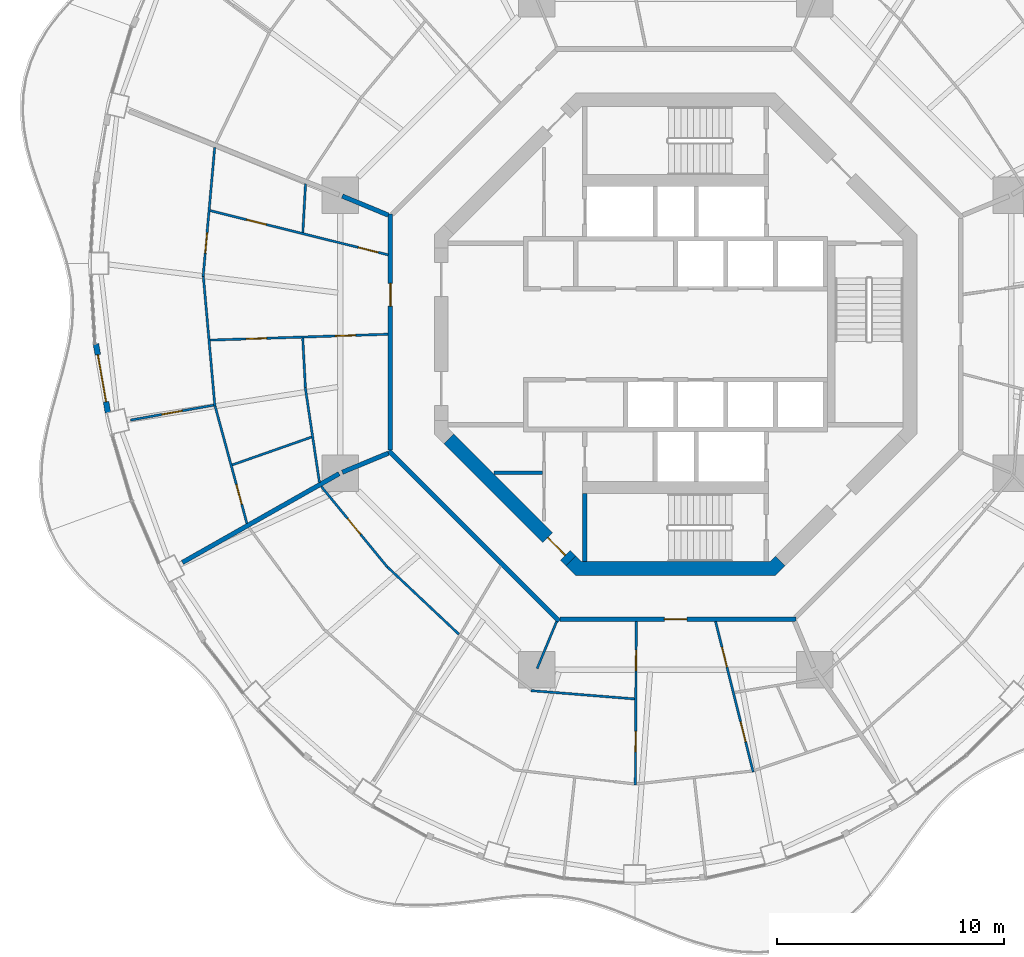
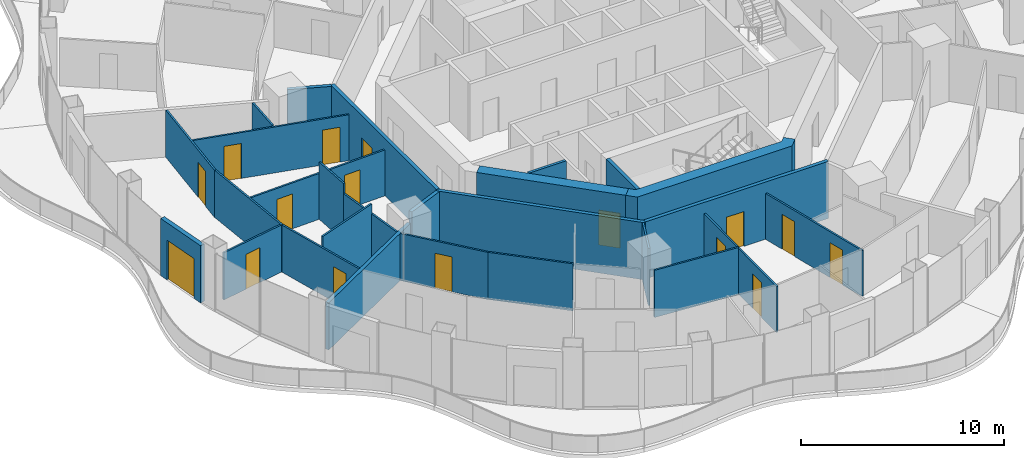
# One storey, part 10 of 18: 27 walls, 16 doors, 16 openings.
"""IFC4 building model written with IfcOpenShell, lengths in metres."""

from ifc_helpers import new_model, si_unit, direction, frame, frame_2d, origin, place, context, subcontext, project, spatial, polyline, rectangle, outline, extrude, material, layer, layer_set, type_object, element, fill, save


model = new_model("IFC4")

# Units and contexts
model_context = context("Model", 3, precision=1e-05, world=origin(), true_north=direction((0.0, 1.0)))
body_context = subcontext(model_context, "Body", "Model", "MODEL_VIEW")
ifc_project = project(units=[si_unit("LENGTHUNIT", "METRE"), si_unit("AREAUNIT", "SQUARE_METRE"), si_unit("VOLUMEUNIT", "CUBIC_METRE"), si_unit("PLANEANGLEUNIT", "RADIAN"), si_unit("MASSUNIT", "GRAM", prefix="KILO")], contexts=[model_context])

# Site, building, storey
site_placement = place(None, origin())
site = spatial("IfcSite", under=ifc_project, at=site_placement, CompositionType="ELEMENT")
building_placement = place(site_placement, origin())
building = spatial("IfcBuilding", under=site, at=building_placement, Name="Nagisa Residences", CompositionType="ELEMENT")
storey_placement = place(building_placement, frame((0.0, 0.0, 215.89990234375)))
storey = spatial("IfcBuildingStorey", under=building, at=storey_placement, Name="L54", CompositionType="ELEMENT", Elevation=215.89990234375)

# Walls
ifc_material_1 = material(Name="Gypsum board on steel studs", Category="steel")
ifc_layer_1 = layer(ifc_material_1, 0.199951171875)
ifc_layer_set_1 = layer_set([ifc_layer_1], Name="Apartment compartment wall EI60 200")
wall_type_1 = type_object("IfcWallType", Name="Apartment compartment wall EI60 200", PredefinedType="PARTITIONING", material=ifc_layer_set_1)
for number, where, z_axis, x_axis, name in (
    (1, (-12.6572265625, 5.24267578125, 0.0), (0.0, 0.0, 1.0), (-0.923859888513, 0.38273085373, 0.0), "wall:L54:u02"),
    (2, (-12.6572265625, -5.24267578125, 0.0), (0.0, 0.0, 1.0), (-0.923859888513, -0.38273085373, 0.0), "wall:L54:u04"),
):
    element("IfcWall", number, at=place(storey_placement, frame(where, z_axis=z_axis, x_axis=x_axis)), inside=storey, type_object=wall_type_1, Name=name, PredefinedType="PARTITIONING", context=body_context, shape_type="SweptSolid", body=[
        extrude(rectangle(XDim=2.199462890625, YDim=0.199951171875, at=frame_2d((1.099609375, 0.0))), origin(), (0.0, 0.0, 1.0), 3.440185546875),
    ])
wall_1_placement = place(storey_placement, frame((-14.825439453125, -6.147705078125, 0.0), z_axis=(0.0, 0.0, 1.0), x_axis=(-0.870099576105, -0.492875975944, 0.0)))
element("IfcWall", 3, at=wall_1_placement, inside=storey, type_object=wall_type_1, Name="wall:L54:u05", PredefinedType="PARTITIONING", context=body_context, shape_type="SweptSolid", body=[
    extrude(rectangle(XDim=7.937255859375, YDim=0.199951171875, at=frame_2d((3.96875, 0.0))), origin(), (0.0, 0.0, 1.0), 2.837158203125),
])

# Wall, opening, door
ifc_material_2 = material(Name="Gypsum board on steel studs", Category="steel")
ifc_layer_2 = layer(ifc_material_2, 0.199951171875)
ifc_layer_set_2 = layer_set([ifc_layer_2], Name="Apartment entry wall EI60 200")
wall_type_2 = type_object("IfcWallType", Name="Apartment entry wall EI60 200", PredefinedType="PARTITIONING", material=ifc_layer_set_2)
wall_2_placement = place(storey_placement, frame((-12.564697265625, 5.304443359375, 0.0), z_axis=(0.0, 0.0, 1.0), x_axis=(0.0, -1.0, 0.0)))
wall_2 = element("IfcWall", 4, at=wall_2_placement, inside=storey, type_object=wall_type_2, Name="wall:L54:u12", PredefinedType="PARTITIONING", context=body_context, shape_type="SweptSolid", body=[
    extrude(rectangle(XDim=10.408935546875, YDim=0.199951171875, at=frame_2d((5.20458984375, 0.0))), origin(), (0.0, 0.0, 1.0), 3.440185546875),
])
opening_1_placement = place(wall_2_placement, frame((3.069580078125, 0.0, 0.0)))
opening_1 = element("IfcOpeningElement", 5, at=opening_1_placement, cuts=wall_2, Name="Opening L54-U20", PredefinedType="OPENING", context=body_context, shape_type="SweptSolid", body=[
    extrude(rectangle(XDim=1.0, YDim=2.10009765625, at=frame_2d((0.5, 1.050048828125))), frame((0.0, 0.10986328125, 0.0), z_axis=(0.0, -1.0, 0.0), x_axis=(1.0, 0.0, 0.0)), (0.0, 0.0, 1.0), 0.219970703125),
])
ifc_material_3 = material(Name="Timber fire door set", Category="wood")
door_type_1 = type_object("IfcDoorType", Name="Apartment entry door FD30S 1000x2100", OperationType="NOTDEFINED", PredefinedType="DOOR", material=ifc_material_3)
door_1_placement = place(opening_1_placement, frame((1.0, 0.0, 0.0), x_axis=(-1.0, 0.0, 0.0)))
door_1 = element("IfcDoor", 6, at=door_1_placement, inside=storey, type_object=door_type_1, Name="Entry door, Apartment 54B", OperationType="SINGLE_SWING_LEFT", OverallHeight=2.10009765625, OverallWidth=1.0, PredefinedType="DOOR", context=body_context, shape_type="SweptSolid", body=[
    extrude(rectangle(XDim=1.0, YDim=2.10009765625, at=frame_2d((0.5, 1.050048828125))), frame((0.0, 0.02490234375, 0.0), z_axis=(0.0, -1.0, 0.0), x_axis=(1.0, 0.0, 0.0)), (0.0, 0.0, 1.0), 0.050048828125),
])
fill(opening_1, door_1)

# Wall
wall_3_placement = place(storey_placement, frame((-12.635498046875, -5.1337890625, 0.0), z_axis=(0.0, 0.0, 1.0), x_axis=(0.707106781187, -0.707106781187, 0.0)))
element("IfcWall", 7, at=wall_3_placement, inside=storey, type_object=wall_type_2, Name="wall:L54:u13", PredefinedType="PARTITIONING", context=body_context, shape_type="SweptSolid", body=[
    extrude(rectangle(XDim=10.609130859375, YDim=0.199951171875, at=frame_2d((5.3046875, 0.0))), origin(), (0.0, 0.0, 1.0), 3.440185546875),
])

# Wall, opening, door
wall_4_placement = place(storey_placement, frame((-5.1044921875, -12.564697265625, 0.0), z_axis=(0.0, 0.0, 1.0), x_axis=(1.0, 0.0, 0.0)))
wall_4 = element("IfcWall", 8, at=wall_4_placement, inside=storey, type_object=wall_type_2, Name="wall:L54:u14", PredefinedType="PARTITIONING", context=body_context, shape_type="SweptSolid", body=[
    extrude(rectangle(XDim=10.408935546875, YDim=0.199951171875, at=frame_2d((5.20458984375, 0.0))), origin(), (0.0, 0.0, 1.0), 3.440185546875),
])
opening_2_placement = place(wall_4_placement, frame((4.6044921875, 0.0, 0.0)))
opening_2 = element("IfcOpeningElement", 9, at=opening_2_placement, cuts=wall_4, Name="Opening L54-U28", PredefinedType="OPENING", context=body_context, shape_type="SweptSolid", body=[
    extrude(rectangle(XDim=1.0, YDim=2.10009765625, at=frame_2d((0.5, 1.050048828125))), frame((0.0, 0.10986328125, 0.0), z_axis=(0.0, -1.0, 0.0), x_axis=(1.0, 0.0, 0.0)), (0.0, 0.0, 1.0), 0.219970703125),
])
door_2_placement = place(opening_2_placement, frame((1.0, 0.0, 0.0), x_axis=(-1.0, 0.0, 0.0)))
door_2 = element("IfcDoor", 10, at=door_2_placement, inside=storey, type_object=door_type_1, Name="Entry door, Apartment 54C", OperationType="SINGLE_SWING_LEFT", OverallHeight=2.10009765625, OverallWidth=1.0, PredefinedType="DOOR", context=body_context, shape_type="SweptSolid", body=[
    extrude(rectangle(XDim=1.0, YDim=2.10009765625, at=frame_2d((0.5, 1.050048828125))), frame((0.0, 0.02490234375, 0.0), z_axis=(0.0, -1.0, 0.0), x_axis=(1.0, 0.0, 0.0)), (0.0, 0.0, 1.0), 0.050048828125),
])
fill(opening_2, door_2)

# Wall
ifc_material_4 = material(Name="Gypsum board on steel studs", Category="steel")
ifc_layer_3 = layer(ifc_material_4, 0.10009765625)
ifc_layer_set_3 = layer_set([ifc_layer_3], Name="Apartment partition 100")
wall_type_3 = type_object("IfcWallType", Name="Apartment partition 100", PredefinedType="PARTITIONING", material=ifc_layer_set_3)
wall_5_placement = place(storey_placement, frame((-16.306884765625, 6.62744140625, 0.0), z_axis=(0.0, 0.0, 1.0), x_axis=(-0.055608865939, -0.998452629837, 0.0)))
element("IfcWall", 11, at=wall_5_placement, inside=storey, type_object=wall_type_3, Name="wall:L54:u54", PredefinedType="PARTITIONING", context=body_context, shape_type="SweptSolid", body=[
    extrude(rectangle(XDim=2.142578125, YDim=0.10009765625, at=frame_2d((1.0712890625, 0.0))), origin(), (0.0, 0.0, 1.0), 2.837158203125),
])

# Wall, opening, door
wall_6_placement = place(storey_placement, frame((-20.3095703125, 8.21826171875, 0.0), z_axis=(0.0, 0.0, 1.0), x_axis=(-0.089284106956, -0.996006198899, 0.0)))
wall_6 = element("IfcWall", 12, at=wall_6_placement, inside=storey, type_object=wall_type_3, Name="wall:L54:u55", PredefinedType="PARTITIONING", context=body_context, shape_type="SweptSolid", body=[
    extrude(rectangle(XDim=5.698486328125, YDim=0.10009765625, at=frame_2d((2.84912109375, 0.0))), origin(), (0.0, 0.0, 1.0), 2.837158203125),
])
opening_3_placement = place(wall_6_placement, frame((3.761474609375, 0.0, 0.0)))
opening_3 = element("IfcOpeningElement", 13, at=opening_3_placement, cuts=wall_6, Name="Opening L54-U25", PredefinedType="OPENING", context=body_context, shape_type="SweptSolid", body=[
    extrude(rectangle(XDim=0.89990234375, YDim=2.10009765625, at=frame_2d((0.449951171875, 1.050048828125))), frame((0.0, 0.06005859375, 0.0), z_axis=(0.0, -1.0, 0.0), x_axis=(1.0, 0.0, 0.0)), (0.0, 0.0, 1.0), 0.1201171875),
])
ifc_material_5 = material(Name="Timber door set", Category="wood")
door_type_2 = type_object("IfcDoorType", Name="Apartment door 900x2100", OperationType="NOTDEFINED", PredefinedType="DOOR", material=ifc_material_5)
door_3_placement = place(opening_3_placement, frame((0.89990234375, 0.0, 0.0), x_axis=(-1.0, 0.0, 0.0)))
door_3 = element("IfcDoor", 14, at=door_3_placement, inside=storey, type_object=door_type_2, Name="Door to living room, Apartment 54B", OperationType="SINGLE_SWING_RIGHT", OverallHeight=2.10009765625, OverallWidth=0.89990234375, PredefinedType="DOOR", context=body_context, shape_type="SweptSolid", body=[
    extrude(rectangle(XDim=0.89990234375, YDim=2.10009765625, at=frame_2d((0.449951171875, 1.050048828125))), frame((0.0, 0.02490234375, 0.0), z_axis=(0.0, -1.0, 0.0), x_axis=(1.0, 0.0, 0.0)), (0.0, 0.0, 1.0), 0.050048828125),
])
fill(opening_3, door_3)

# Wall, openings, doors
wall_7_placement = place(storey_placement, frame((-12.661865234375, 3.49365234375, 0.0), z_axis=(0.0, 0.0, 1.0), x_axis=(-0.970505526029, 0.241078874951, 0.0)))
wall_7 = element("IfcWall", 15, at=wall_7_placement, inside=storey, type_object=wall_type_3, Name="wall:L54:u56", PredefinedType="PARTITIONING", context=body_context, shape_type="SweptSolid", body=[
    extrude(rectangle(XDim=8.08544921875, YDim=0.10009765625, at=frame_2d((4.042724609375, 0.0))), origin(), (0.0, 0.0, 1.0), 2.76220703125),
])
opening_4_placement = place(wall_7_placement, frame((0.464111328125, 0.0, 0.0)))
opening_4 = element("IfcOpeningElement", 16, at=opening_4_placement, cuts=wall_7, Name="Opening L54-U21", PredefinedType="OPENING", context=body_context, shape_type="SweptSolid", body=[
    extrude(rectangle(XDim=0.89990234375, YDim=2.10009765625, at=frame_2d((0.449951171875, 1.050048828125))), frame((0.0, 0.06005859375, 0.0), z_axis=(0.0, -1.0, 0.0), x_axis=(1.0, 0.0, 0.0)), (0.0, 0.0, 1.0), 0.1201171875),
])
opening_5_placement = place(wall_7_placement, frame((5.53466796875, 0.0, 0.0)))
opening_5 = element("IfcOpeningElement", 17, at=opening_5_placement, cuts=wall_7, Name="Opening L54-U23", PredefinedType="OPENING", context=body_context, shape_type="SweptSolid", body=[
    extrude(rectangle(XDim=0.89990234375, YDim=2.10009765625, at=frame_2d((0.449951171875, 1.050048828125))), frame((0.0, 0.06005859375, 0.0), z_axis=(0.0, -1.0, 0.0), x_axis=(1.0, 0.0, 0.0)), (0.0, 0.0, 1.0), 0.1201171875),
])
door_4_placement = place(opening_4_placement, frame((0.89990234375, 0.0, 0.0), x_axis=(-1.0, 0.0, 0.0)))
door_4 = element("IfcDoor", 18, at=door_4_placement, inside=storey, type_object=door_type_2, Name="Door to family bathroom, Apartment 54B", OperationType="SINGLE_SWING_RIGHT", OverallHeight=2.10009765625, OverallWidth=0.89990234375, PredefinedType="DOOR", context=body_context, shape_type="SweptSolid", body=[
    extrude(rectangle(XDim=0.89990234375, YDim=2.10009765625, at=frame_2d((0.449951171875, 1.050048828125))), frame((0.0, 0.02490234375, 0.0), z_axis=(0.0, -1.0, 0.0), x_axis=(1.0, 0.0, 0.0)), (0.0, 0.0, 1.0), 0.050048828125),
])
fill(opening_4, door_4)
door_5_placement = place(opening_5_placement, frame((0.89990234375, 0.0, 0.0), x_axis=(-1.0, 0.0, 0.0)))
door_5 = element("IfcDoor", 19, at=door_5_placement, inside=storey, type_object=door_type_2, Name="Door to family bathroom, Apartment 54B", OperationType="SINGLE_SWING_RIGHT", OverallHeight=2.10009765625, OverallWidth=0.89990234375, PredefinedType="DOOR", context=body_context, shape_type="SweptSolid", body=[
    extrude(rectangle(XDim=0.89990234375, YDim=2.10009765625, at=frame_2d((0.449951171875, 1.050048828125))), frame((0.0, 0.02490234375, 0.0), z_axis=(0.0, -1.0, 0.0), x_axis=(1.0, 0.0, 0.0)), (0.0, 0.0, 1.0), 0.050048828125),
])
fill(opening_5, door_5)

# Wall
wall_8_placement = place(storey_placement, frame((-20.8095703125, 2.54248046875, 0.0), z_axis=(0.0, 0.0, 1.0), x_axis=(0.088651453697, -0.996062708748, 0.0)))
element("IfcWall", 20, at=wall_8_placement, inside=storey, type_object=wall_type_3, Name="wall:L54:u57", PredefinedType="PARTITIONING", context=body_context, shape_type="SweptSolid", body=[
    extrude(rectangle(XDim=5.736572265625, YDim=0.10009765625, at=frame_2d((2.8681640625, 0.0))), origin(), (0.0, 0.0, 1.0), 2.837158203125),
])

# Wall, openings, doors
wall_9_placement = place(storey_placement, frame((-12.664794921875, -0.00341796875, 0.0), z_axis=(0.0, 0.0, 1.0), x_axis=(-0.999453263957, -0.033063169315, 0.0)))
wall_9 = element("IfcWall", 21, at=wall_9_placement, inside=storey, type_object=wall_type_3, Name="wall:L54:u58", PredefinedType="PARTITIONING", context=body_context, shape_type="SweptSolid", body=[
    extrude(rectangle(XDim=7.849365234375, YDim=0.10009765625, at=frame_2d((3.9248046875, 0.0))), origin(), (0.0, 0.0, 1.0), 2.76220703125),
])
opening_6_placement = place(wall_9_placement, frame((1.435302734375, 0.0, 0.0)))
opening_6 = element("IfcOpeningElement", 22, at=opening_6_placement, cuts=wall_9, Name="Opening L54-U22", PredefinedType="OPENING", context=body_context, shape_type="SweptSolid", body=[
    extrude(rectangle(XDim=0.89990234375, YDim=2.10009765625, at=frame_2d((0.449951171875, 1.050048828125))), frame((0.0, 0.06005859375, 0.0), z_axis=(0.0, -1.0, 0.0), x_axis=(1.0, 0.0, 0.0)), (0.0, 0.0, 1.0), 0.1201171875),
])
opening_7_placement = place(wall_9_placement, frame((5.360107421875, 0.0, 0.0)))
opening_7 = element("IfcOpeningElement", 23, at=opening_7_placement, cuts=wall_9, Name="Opening L54-U24", PredefinedType="OPENING", context=body_context, shape_type="SweptSolid", body=[
    extrude(rectangle(XDim=0.89990234375, YDim=2.10009765625, at=frame_2d((0.449951171875, 1.050048828125))), frame((0.0, 0.06005859375, 0.0), z_axis=(0.0, -1.0, 0.0), x_axis=(1.0, 0.0, 0.0)), (0.0, 0.0, 1.0), 0.1201171875),
])
door_6_placement = place(opening_6_placement, origin())
door_6 = element("IfcDoor", 24, at=door_6_placement, inside=storey, type_object=door_type_2, Name="Door to laundry, Apartment 54B", OperationType="SINGLE_SWING_RIGHT", OverallHeight=2.10009765625, OverallWidth=0.89990234375, PredefinedType="DOOR", context=body_context, shape_type="SweptSolid", body=[
    extrude(rectangle(XDim=0.89990234375, YDim=2.10009765625, at=frame_2d((0.449951171875, 1.050048828125))), frame((0.0, 0.02490234375, 0.0), z_axis=(0.0, -1.0, 0.0), x_axis=(1.0, 0.0, 0.0)), (0.0, 0.0, 1.0), 0.050048828125),
])
fill(opening_6, door_6)
door_7_placement = place(opening_7_placement, origin())
door_7 = element("IfcDoor", 25, at=door_7_placement, inside=storey, type_object=door_type_2, Name="Door to kitchen, Apartment 54B", OperationType="SINGLE_SWING_RIGHT", OverallHeight=2.10009765625, OverallWidth=0.89990234375, PredefinedType="DOOR", context=body_context, shape_type="SweptSolid", body=[
    extrude(rectangle(XDim=0.89990234375, YDim=2.10009765625, at=frame_2d((0.449951171875, 1.050048828125))), frame((0.0, 0.02490234375, 0.0), z_axis=(0.0, -1.0, 0.0), x_axis=(1.0, 0.0, 0.0)), (0.0, 0.0, 1.0), 0.050048828125),
])
fill(opening_7, door_7)

# Walls
wall_10_placement = place(storey_placement, frame((-16.4306640625, -0.177978515625, 0.0), z_axis=(0.0, 0.0, 1.0), x_axis=(0.053951127036, -0.998543577362, 0.0)))
element("IfcWall", 26, at=wall_10_placement, inside=storey, type_object=wall_type_3, Name="wall:L54:u59", PredefinedType="PARTITIONING", context=body_context, shape_type="SweptSolid", body=[
    extrude(rectangle(XDim=2.18115234375, YDim=0.10009765625, at=frame_2d((1.090576171875, 0.0))), origin(), (0.0, 0.0, 1.0), 3.440185546875),
])
wall_11_placement = place(storey_placement, frame((-16.317626953125, -2.3564453125, 0.0), z_axis=(0.0, 0.0, 1.0), x_axis=(0.147684413341, -0.989034536331, 0.0)))
element("IfcWall", 27, at=wall_11_placement, inside=storey, type_object=wall_type_3, Name="wall:L54:u60", PredefinedType="PARTITIONING", context=body_context, shape_type="SweptSolid", body=[
    extrude(rectangle(XDim=4.22216796875, YDim=0.10009765625, at=frame_2d((2.111083984375, 0.0))), origin(), (0.0, 0.0, 1.0), 2.837158203125),
])

# Wall, opening, door
wall_12_placement = place(storey_placement, frame((-20.354736328125, -3.13037109375, 0.0), z_axis=(0.0, 0.0, 1.0), x_axis=(-0.984331377639, -0.1763284974, 0.0)))
wall_12 = element("IfcWall", 28, at=wall_12_placement, inside=storey, type_object=wall_type_3, Name="wall:L54:u61", PredefinedType="PARTITIONING", context=body_context, shape_type="SweptSolid", body=[
    extrude(rectangle(XDim=3.72314453125, YDim=0.10009765625, at=frame_2d((1.861572265625, 0.0))), origin(), (0.0, 0.0, 1.0), 2.837158203125),
])
opening_8_placement = place(wall_12_placement, frame((1.41162109375, 0.0, 0.0)))
opening_8 = element("IfcOpeningElement", 29, at=opening_8_placement, cuts=wall_12, Name="Opening L54-U26", PredefinedType="OPENING", context=body_context, shape_type="SweptSolid", body=[
    extrude(rectangle(XDim=0.89990234375, YDim=2.10009765625, at=frame_2d((0.449951171875, 1.050048828125))), frame((0.0, 0.06005859375, 0.0), z_axis=(0.0, -1.0, 0.0), x_axis=(1.0, 0.0, 0.0)), (0.0, 0.0, 1.0), 0.1201171875),
])
door_8_placement = place(opening_8_placement, origin())
door_8 = element("IfcDoor", 30, at=door_8_placement, inside=storey, type_object=door_type_2, Name="Door to bedroom, Apartment 54B", OperationType="SINGLE_SWING_RIGHT", OverallHeight=2.10009765625, OverallWidth=0.89990234375, PredefinedType="DOOR", context=body_context, shape_type="SweptSolid", body=[
    extrude(rectangle(XDim=0.89990234375, YDim=2.10009765625, at=frame_2d((0.449951171875, 1.050048828125))), frame((0.0, 0.02490234375, 0.0), z_axis=(0.0, -1.0, 0.0), x_axis=(1.0, 0.0, 0.0)), (0.0, 0.0, 1.0), 0.050048828125),
])
fill(opening_8, door_8)

wall_13_placement = place(storey_placement, frame((-20.29248046875, -3.169677734375, 0.0), z_axis=(0.0, 0.0, 1.0), x_axis=(0.26187906236, -0.965100697698, 0.0)))
wall_13 = element("IfcWall", 31, at=wall_13_placement, inside=storey, type_object=wall_type_3, Name="wall:L54:u62", PredefinedType="PARTITIONING", context=body_context, shape_type="SweptSolid", body=[
    extrude(rectangle(XDim=5.35595703125, YDim=0.10009765625, at=frame_2d((2.677978515625, 0.0))), origin(), (0.0, 0.0, 1.0), 2.837158203125),
])
opening_9_placement = place(wall_13_placement, frame((3.579345703125, 0.0, 0.0)))
opening_9 = element("IfcOpeningElement", 32, at=opening_9_placement, cuts=wall_13, Name="Opening L54-U27", PredefinedType="OPENING", context=body_context, shape_type="SweptSolid", body=[
    extrude(rectangle(XDim=0.89990234375, YDim=2.10009765625, at=frame_2d((0.449951171875, 1.050048828125))), frame((0.0, 0.06005859375, 0.0), z_axis=(0.0, -1.0, 0.0), x_axis=(1.0, 0.0, 0.0)), (0.0, 0.0, 1.0), 0.1201171875),
])
door_9_placement = place(opening_9_placement, origin())
door_9 = element("IfcDoor", 33, at=door_9_placement, inside=storey, type_object=door_type_2, Name="Door to en-suite bathroom, Apartment 54B", OperationType="SINGLE_SWING_LEFT", OverallHeight=2.10009765625, OverallWidth=0.89990234375, PredefinedType="DOOR", context=body_context, shape_type="SweptSolid", body=[
    extrude(rectangle(XDim=0.89990234375, YDim=2.10009765625, at=frame_2d((0.449951171875, 1.050048828125))), frame((0.0, 0.02490234375, 0.0), z_axis=(0.0, -1.0, 0.0), x_axis=(1.0, 0.0, 0.0)), (0.0, 0.0, 1.0), 0.050048828125),
])
fill(opening_9, door_9)

# Wall
wall_14_placement = place(storey_placement, frame((-16.0419921875, -4.53515625, 0.0), z_axis=(0.0, 0.0, 1.0), x_axis=(-0.94358986717, -0.331116539265, 0.0)))
element("IfcWall", 34, at=wall_14_placement, inside=storey, type_object=wall_type_3, Name="wall:L54:u63", PredefinedType="PARTITIONING", context=body_context, shape_type="SweptSolid", body=[
    extrude(rectangle(XDim=3.704345703125, YDim=0.10009765625, at=frame_2d((1.85205078125, 0.0))), origin(), (0.0, 0.0, 1.0), 3.440185546875),
])

# Wall, opening, door
wall_15_placement = place(storey_placement, frame((-15.615966796875, -6.70849609375, 0.0), z_axis=(0.0, 0.0, 1.0), x_axis=(0.634076422357, -0.773270386483, 0.0)))
wall_15 = element("IfcWall", 35, at=wall_15_placement, inside=storey, type_object=wall_type_3, Name="wall:L54:u64", PredefinedType="PARTITIONING", context=body_context, shape_type="SweptSolid", body=[
    extrude(rectangle(XDim=4.611083984375, YDim=0.10009765625, at=frame_2d((2.3056640625, 0.0))), origin(), (0.0, 0.0, 1.0), 2.837158203125),
])
opening_10_placement = place(wall_15_placement, frame((1.83056640625, 0.0, 0.0)))
opening_10 = element("IfcOpeningElement", 36, at=opening_10_placement, cuts=wall_15, Name="Opening L54-U40", PredefinedType="OPENING", context=body_context, shape_type="SweptSolid", body=[
    extrude(rectangle(XDim=0.89990234375, YDim=2.10009765625, at=frame_2d((0.449951171875, 1.050048828125))), frame((0.0, 0.06005859375, 0.0), z_axis=(0.0, -1.0, 0.0), x_axis=(1.0, 0.0, 0.0)), (0.0, 0.0, 1.0), 0.1201171875),
])
door_10_placement = place(opening_10_placement, origin())
door_10 = element("IfcDoor", 37, at=door_10_placement, inside=storey, type_object=door_type_2, Name="Door to store, Apartment 54C", OperationType="SINGLE_SWING_RIGHT", OverallHeight=2.10009765625, OverallWidth=0.89990234375, PredefinedType="DOOR", context=body_context, shape_type="SweptSolid", body=[
    extrude(rectangle(XDim=0.89990234375, YDim=2.10009765625, at=frame_2d((0.449951171875, 1.050048828125))), frame((0.0, 0.02490234375, 0.0), z_axis=(0.0, -1.0, 0.0), x_axis=(1.0, 0.0, 0.0)), (0.0, 0.0, 1.0), 0.050048828125),
])
fill(opening_10, door_10)

# Walls
wall_16_placement = place(storey_placement, frame((-12.6875, -10.269775390625, 0.0), z_axis=(0.0, 0.0, 1.0), x_axis=(0.728268142903, -0.685292282192, 0.0)))
element("IfcWall", 38, at=wall_16_placement, inside=storey, type_object=wall_type_3, Name="wall:L54:u66", PredefinedType="PARTITIONING", context=body_context, shape_type="SweptSolid", body=[
    extrude(rectangle(XDim=4.311767578125, YDim=0.10009765625, at=frame_2d((2.15576171875, 0.0))), origin(), (0.0, 0.0, 1.0), 2.837158203125),
])
wall_17_placement = place(storey_placement, frame((-5.24267578125, -12.6572265625, 0.0), z_axis=(0.0, 0.0, 1.0), x_axis=(-0.382719158442, -0.923864733477, 0.0)))
element("IfcWall", 39, at=wall_17_placement, inside=storey, type_object=wall_type_3, Name="wall:L54:u71", PredefinedType="PARTITIONING", context=body_context, shape_type="SweptSolid", body=[
    extrude(rectangle(XDim=2.25, YDim=0.10009765625, at=frame_2d((1.125, 0.0))), origin(), (0.0, 0.0, 1.0), 3.440185546875),
])
wall_18_placement = place(storey_placement, frame((-6.37939453125, -15.705322265625, 0.0), z_axis=(0.0, 0.0, 1.0), x_axis=(0.996786462227, -0.080104611105, 0.0)))
element("IfcWall", 40, at=wall_18_placement, inside=storey, type_object=wall_type_3, Name="wall:L54:u72", PredefinedType="PARTITIONING", context=body_context, shape_type="SweptSolid", body=[
    extrude(rectangle(XDim=4.58984375, YDim=0.10009765625, at=frame_2d((2.294921875, 0.0))), origin(), (0.0, 0.0, 1.0), 2.837158203125),
])

# Wall, openings, doors
wall_19_placement = place(storey_placement, frame((-1.7353515625, -12.664794921875, 0.0), z_axis=(0.0, 0.0, 1.0), x_axis=(-0.005554152823, -0.999984575574, 0.0)))
wall_19 = element("IfcWall", 41, at=wall_19_placement, inside=storey, type_object=wall_type_3, Name="wall:L54:u75", PredefinedType="PARTITIONING", context=body_context, shape_type="SweptSolid", body=[
    extrude(rectangle(XDim=7.208740234375, YDim=0.10009765625, at=frame_2d((3.6044921875, 0.0))), origin(), (0.0, 0.0, 1.0), 2.76220703125),
])
opening_11_placement = place(wall_19_placement, frame((1.256103515625, 0.0, 0.0)))
opening_11 = element("IfcOpeningElement", 42, at=opening_11_placement, cuts=wall_19, Name="Opening L54-U29", PredefinedType="OPENING", context=body_context, shape_type="SweptSolid", body=[
    extrude(rectangle(XDim=0.89990234375, YDim=2.10009765625, at=frame_2d((0.449951171875, 1.050048828125))), frame((0.0, 0.06005859375, 0.0), z_axis=(0.0, -1.0, 0.0), x_axis=(1.0, 0.0, 0.0)), (0.0, 0.0, 1.0), 0.1201171875),
])
opening_12_placement = place(wall_19_placement, frame((4.835693359375, 0.0, 0.0)))
opening_12 = element("IfcOpeningElement", 43, at=opening_12_placement, cuts=wall_19, Name="Opening L54-U31", PredefinedType="OPENING", context=body_context, shape_type="SweptSolid", body=[
    extrude(rectangle(XDim=0.89990234375, YDim=2.10009765625, at=frame_2d((0.449951171875, 1.050048828125))), frame((0.0, 0.06005859375, 0.0), z_axis=(0.0, -1.0, 0.0), x_axis=(1.0, 0.0, 0.0)), (0.0, 0.0, 1.0), 0.1201171875),
])
door_11_placement = place(opening_11_placement, frame((0.89990234375, 0.0, 0.0), x_axis=(-1.0, 0.0, 0.0)))
door_11 = element("IfcDoor", 44, at=door_11_placement, inside=storey, type_object=door_type_2, Name="Door to store, Apartment 54C", OperationType="SINGLE_SWING_RIGHT", OverallHeight=2.10009765625, OverallWidth=0.89990234375, PredefinedType="DOOR", context=body_context, shape_type="SweptSolid", body=[
    extrude(rectangle(XDim=0.89990234375, YDim=2.10009765625, at=frame_2d((0.449951171875, 1.050048828125))), frame((0.0, 0.02490234375, 0.0), z_axis=(0.0, -1.0, 0.0), x_axis=(1.0, 0.0, 0.0)), (0.0, 0.0, 1.0), 0.050048828125),
])
fill(opening_11, door_11)
door_12_placement = place(opening_12_placement, frame((0.89990234375, 0.0, 0.0), x_axis=(-1.0, 0.0, 0.0)))
door_12 = element("IfcDoor", 45, at=door_12_placement, inside=storey, type_object=door_type_2, Name="Door to family room, Apartment 54C", OperationType="SINGLE_SWING_RIGHT", OverallHeight=2.10009765625, OverallWidth=0.89990234375, PredefinedType="DOOR", context=body_context, shape_type="SweptSolid", body=[
    extrude(rectangle(XDim=0.89990234375, YDim=2.10009765625, at=frame_2d((0.449951171875, 1.050048828125))), frame((0.0, 0.02490234375, 0.0), z_axis=(0.0, -1.0, 0.0), x_axis=(1.0, 0.0, 0.0)), (0.0, 0.0, 1.0), 0.050048828125),
])
fill(opening_12, door_12)

wall_20_placement = place(storey_placement, frame((1.759033203125, -12.661865234375, 0.0), z_axis=(0.0, 0.0, 1.0), x_axis=(0.242653275363, -0.970113079984, 0.0)))
wall_20 = element("IfcWall", 46, at=wall_20_placement, inside=storey, type_object=wall_type_3, Name="wall:L54:u78", PredefinedType="PARTITIONING", context=body_context, shape_type="SweptSolid", body=[
    extrude(rectangle(XDim=6.835693359375, YDim=0.10009765625, at=frame_2d((3.41796875, 0.0))), origin(), (0.0, 0.0, 1.0), 2.76220703125),
])
opening_13_placement = place(wall_20_placement, frame((1.166015625, 0.0, 0.0)))
opening_13 = element("IfcOpeningElement", 47, at=opening_13_placement, cuts=wall_20, Name="Opening L54-U30", PredefinedType="OPENING", context=body_context, shape_type="SweptSolid", body=[
    extrude(rectangle(XDim=0.89990234375, YDim=2.10009765625, at=frame_2d((0.449951171875, 1.050048828125))), frame((0.0, 0.06005859375, 0.0), z_axis=(0.0, -1.0, 0.0), x_axis=(1.0, 0.0, 0.0)), (0.0, 0.0, 1.0), 0.1201171875),
])
opening_14_placement = place(wall_20_placement, frame((4.558837890625, 0.0, 0.0)))
opening_14 = element("IfcOpeningElement", 48, at=opening_14_placement, cuts=wall_20, Name="Opening L54-U32", PredefinedType="OPENING", context=body_context, shape_type="SweptSolid", body=[
    extrude(rectangle(XDim=0.89990234375, YDim=2.10009765625, at=frame_2d((0.449951171875, 1.050048828125))), frame((0.0, 0.06005859375, 0.0), z_axis=(0.0, -1.0, 0.0), x_axis=(1.0, 0.0, 0.0)), (0.0, 0.0, 1.0), 0.1201171875),
])
door_13_placement = place(opening_13_placement, origin())
door_13 = element("IfcDoor", 49, at=door_13_placement, inside=storey, type_object=door_type_2, Name="Door to family bathroom, Apartment 54C", OperationType="SINGLE_SWING_RIGHT", OverallHeight=2.10009765625, OverallWidth=0.89990234375, PredefinedType="DOOR", context=body_context, shape_type="SweptSolid", body=[
    extrude(rectangle(XDim=0.89990234375, YDim=2.10009765625, at=frame_2d((0.449951171875, 1.050048828125))), frame((0.0, 0.02490234375, 0.0), z_axis=(0.0, -1.0, 0.0), x_axis=(1.0, 0.0, 0.0)), (0.0, 0.0, 1.0), 0.050048828125),
])
fill(opening_13, door_13)
door_14_placement = place(opening_14_placement, origin())
door_14 = element("IfcDoor", 50, at=door_14_placement, inside=storey, type_object=door_type_2, Name="Door to family bathroom, Apartment 54C", OperationType="SINGLE_SWING_RIGHT", OverallHeight=2.10009765625, OverallWidth=0.89990234375, PredefinedType="DOOR", context=body_context, shape_type="SweptSolid", body=[
    extrude(rectangle(XDim=0.89990234375, YDim=2.10009765625, at=frame_2d((0.449951171875, 1.050048828125))), frame((0.0, 0.02490234375, 0.0), z_axis=(0.0, -1.0, 0.0), x_axis=(1.0, 0.0, 0.0)), (0.0, 0.0, 1.0), 0.050048828125),
])
fill(opening_14, door_14)

# Wall, opening, door
ifc_material_6 = material(Name="Precast concrete C40/50", Category="concrete")
ifc_layer_4 = layer(ifc_material_6, 0.25)
ifc_layer_set_4 = layer_set([ifc_layer_4], Name="BALCONY DOOR WALL 250")
wall_type_4 = type_object("IfcWallType", Name="BALCONY DOOR WALL 250", PredefinedType="SOLIDWALL", material=ifc_layer_set_4)
wall_21_placement = place(storey_placement, frame((-25.0126953125, -3.457275390625, 0.0), z_axis=(0.0, 0.0, 1.0), x_axis=(-0.172241318156, 0.985054784426, 0.0)))
wall_21 = element("IfcWall", 51, at=wall_21_placement, inside=storey, type_object=wall_type_4, Name="wall:L54:bay25", PredefinedType="SOLIDWALL", context=body_context, shape_type="SweptSolid", body=[
    extrude(rectangle(XDim=3.0673828125, YDim=0.25, at=frame_2d((1.53369140625, 0.0))), origin(), (0.0, 0.0, 1.0), 3.440185546875),
])
opening_15_placement = place(wall_21_placement, frame((0.483642578125, 0.0, 0.0)))
opening_15 = element("IfcOpeningElement", 52, at=opening_15_placement, cuts=wall_21, Name="Opening BD-L54-09", PredefinedType="OPENING", context=body_context, shape_type="SweptSolid", body=[
    extrude(rectangle(XDim=2.10009765625, YDim=2.39990234375, at=frame_2d((1.050048828125, 1.199951171875))), frame((0.0, 0.135009765625, 0.0), z_axis=(0.0, -1.0, 0.0), x_axis=(1.0, 0.0, 0.0)), (0.0, 0.0, 1.0), 0.27001953125),
])
ifc_material_7 = material(Name="Aluminium and clear glass", Category="aluminium")
door_type_3 = type_object("IfcDoorType", Name="BALCONY SLIDING DOOR 2100x2400", OperationType="SLIDING_TO_LEFT", PredefinedType="DOOR", material=ifc_material_7)
door_15_placement = place(opening_15_placement, origin())
door_15 = element("IfcDoor", 53, at=door_15_placement, inside=storey, type_object=door_type_3, Name="door:L54:bay25", OperationType="SLIDING_TO_LEFT", OverallHeight=2.39990234375, OverallWidth=2.10009765625, PredefinedType="DOOR", context=body_context, shape_type="SweptSolid", body=[
    extrude(rectangle(XDim=2.10009765625, YDim=2.39990234375, at=frame_2d((1.050048828125, 1.199951171875))), frame((0.0, 0.02490234375, 0.0), z_axis=(0.0, -1.0, 0.0), x_axis=(1.0, 0.0, 0.0)), (0.0, 0.0, 1.0), 0.050048828125),
])
fill(opening_15, door_15)

# Wall
ifc_material_8 = material(Name="Gypsum board on steel studs", Category="steel")
ifc_layer_5 = layer(ifc_material_8, 0.14990234375)
ifc_layer_set_5 = layer_set([ifc_layer_5], Name="Core partition 150")
wall_type_5 = type_object("IfcWallType", Name="Core partition 150", PredefinedType="PARTITIONING", material=ifc_layer_set_5)
wall_22_placement = place(storey_placement, frame((-8.0009765625, -6.10009765625, 0.0), z_axis=(0.0, 0.0, 1.0), x_axis=(1.0, 0.0, 0.0)))
element("IfcWall", 54, at=wall_22_placement, inside=storey, type_object=wall_type_5, Name="wall:L54:SWq", PredefinedType="PARTITIONING", context=body_context, shape_type="SweptSolid", body=[
    extrude(rectangle(XDim=2.1259765625, YDim=0.14990234375, at=frame_2d((1.06298828125, 0.0))), origin(), (0.0, 0.0, 1.0), 3.440185546875),
])

# Wall, opening, door
ifc_material_9 = material(Name="Concrete C60", Category="concrete")
ifc_layer_6 = layer(ifc_material_9, 0.60009765625)
ifc_layer_set_6 = layer_set([ifc_layer_6], Name="Core shear wall 600")
wall_type_6 = type_object("IfcWallType", Name="Core shear wall 600", PredefinedType="SHEAR", material=ifc_layer_set_6)
wall_23_placement = place(storey_placement, frame((-9.98828125, -4.613037109375, 0.0), z_axis=(0.0, 0.0, 1.0), x_axis=(0.707106781187, -0.707106781187, 0.0)))
wall_23 = element("IfcWall", 55, at=wall_23_placement, inside=storey, type_object=wall_type_6, Name="wall:L54:core:flat5", PredefinedType="SHEAR", context=body_context, shape_type="SweptSolid", body=[
    extrude(rectangle(XDim=7.601806640625, YDim=0.60009765625, at=frame_2d((3.80078125, 0.0))), origin(), (0.0, 0.0, 1.0), 3.440185546875),
])
opening_16_placement = place(wall_23_placement, frame((6.15087890625, 0.0, 0.0)))
opening_16 = element("IfcOpeningElement", 56, at=opening_16_placement, cuts=wall_23, Name="Opening L54-C23", PredefinedType="OPENING", context=body_context, shape_type="SweptSolid", body=[
    extrude(rectangle(XDim=1.10009765625, YDim=2.10009765625, at=frame_2d((0.550048828125, 1.050048828125))), frame((0.0, 0.31005859375, 0.0), z_axis=(0.0, -1.0, 0.0), x_axis=(1.0, 0.0, 0.0)), (0.0, 0.0, 1.0), 0.6201171875),
])
ifc_material_10 = material(Name="Steel fire door", Category="steel")
door_type_4 = type_object("IfcDoorType", Name="Fire door EI60 1100x2100 single swing", OperationType="NOTDEFINED", PredefinedType="DOOR", material=ifc_material_10)
door_16_placement = place(opening_16_placement, origin())
door_16 = element("IfcDoor", 57, at=door_16_placement, inside=storey, type_object=door_type_4, Name="Housekeeping lobby door L54", OperationType="SINGLE_SWING_RIGHT", OverallHeight=2.10009765625, OverallWidth=1.10009765625, PredefinedType="DOOR", context=body_context, shape_type="SweptSolid", body=[
    extrude(rectangle(XDim=1.10009765625, YDim=2.10009765625, at=frame_2d((0.550048828125, 1.050048828125))), frame((0.0, 0.02490234375, 0.0), z_axis=(0.0, -1.0, 0.0), x_axis=(1.0, 0.0, 0.0)), (0.0, 0.0, 1.0), 0.050048828125),
])
fill(opening_16, door_16)

# Walls
wall_24_placement = place(storey_placement, origin())
element("IfcWall", 58, at=wall_24_placement, inside=storey, type_object=wall_type_6, Name="wall:L54:core:flat6", PredefinedType="SHEAR", context=body_context, shape_type="SweptSolid", body=[
    extrude(outline(polyline([(-4.15234375, -10.024658203125), (4.15234375, -10.024658203125), (4.40087890625, -9.776123046875), (4.8251953125, -10.200439453125), (4.40087890625, -10.62451171875), (-4.40087890625, -10.62451171875), (-4.8251953125, -10.200439453125), (-4.40087890625, -9.776123046875), (-4.15234375, -10.024658203125)])), origin(), (0.0, 0.0, 1.0), 3.440185546875),
])
ifc_material_11 = material(Name="Concrete C60", Category="concrete")
ifc_layer_7 = layer(ifc_material_11, 0.199951171875)
ifc_layer_set_7 = layer_set([ifc_layer_7], Name="Stair enclosure wall 200")
wall_type_7 = type_object("IfcWallType", Name="Stair enclosure wall 200", PredefinedType="SOLIDWALL", material=ifc_layer_set_7)
wall_25_placement = place(storey_placement, origin())
element("IfcWall", 59, at=wall_25_placement, inside=storey, type_object=wall_type_7, Name="wall:L54:SS_w", PredefinedType="SOLIDWALL", context=body_context, shape_type="SweptSolid", body=[
    extrude(outline(polyline([(-3.89990234375, -10.024658203125), (-4.10009765625, -10.024658203125), (-4.10009765625, -7.024658203125), (-3.89990234375, -7.024658203125), (-3.89990234375, -10.024658203125)])), origin(), (0.0, 0.0, 1.0), 3.440185546875),
])

save(model, "model.ifc")
